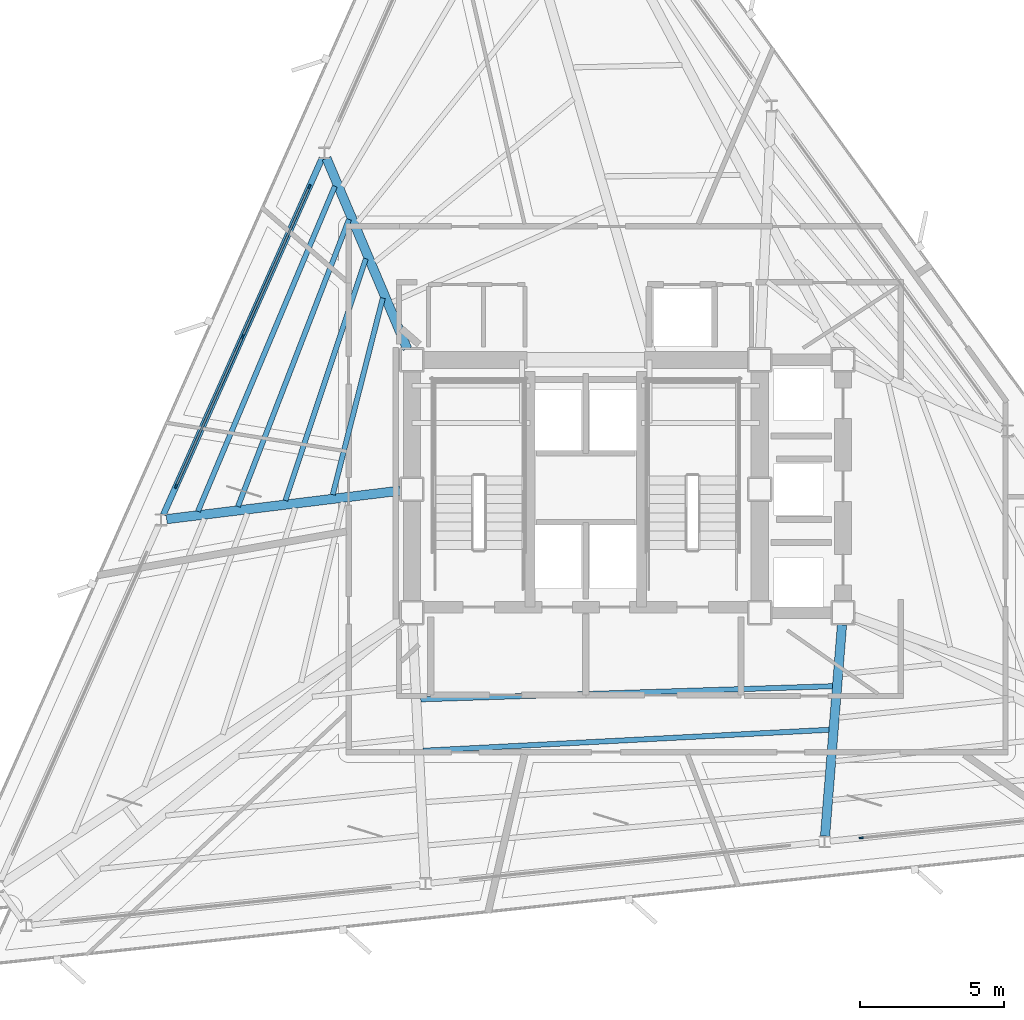
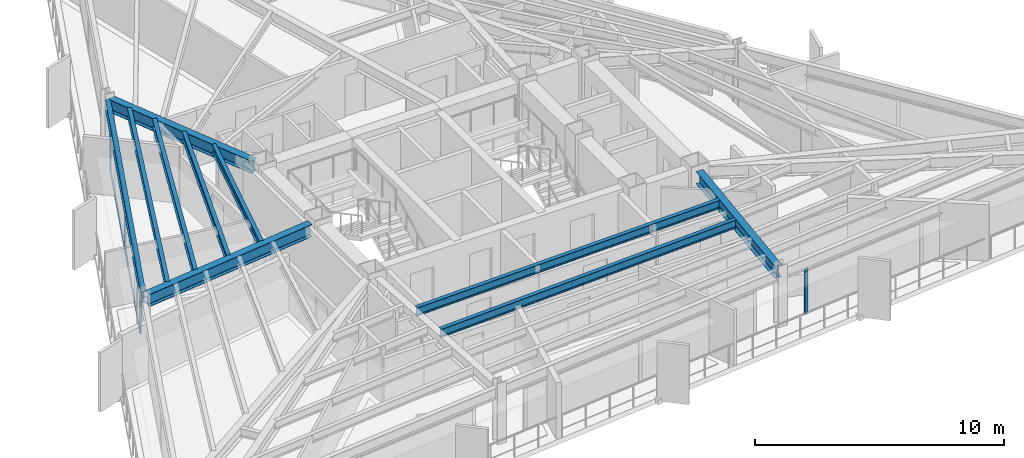
# One storey, part 3 of 12: 10 beams, 8 members, 2 elements without a shape of their own.
"""IFC4 building model written with IfcOpenShell, lengths in metres."""

from ifc_helpers import new_model, si_unit, direction, frame, origin, origin_2d, place, context, subcontext, project, spatial, rectangle, i_section, extrude, material, layer, layer_set, material_profile, profile_set, type_object, element, aggregate, save


model = new_model("IFC4")

# Units and contexts
model_context = context("Model", 3, precision=1e-05, world=origin(), true_north=direction((0.0, 1.0)))
body_context = subcontext(model_context, "Body", "Model", "MODEL_VIEW")
ifc_project = project(units=[si_unit("LENGTHUNIT", "METRE"), si_unit("AREAUNIT", "SQUARE_METRE"), si_unit("VOLUMEUNIT", "CUBIC_METRE"), si_unit("PLANEANGLEUNIT", "RADIAN"), si_unit("MASSUNIT", "GRAM", prefix="KILO")], contexts=[model_context])

# Site, building, storey
site_placement = place(None, origin())
site = spatial("IfcSite", under=ifc_project, at=site_placement, CompositionType="ELEMENT")
building_placement = place(site_placement, origin())
building = spatial("IfcBuilding", under=site, at=building_placement, Name="Rocaltana Carrier Exchange", CompositionType="ELEMENT")
storey_placement = place(building_placement, frame((0.0, 0.0, 116.800048828125)))
storey = spatial("IfcBuildingStorey", under=building, at=storey_placement, Name="L36", CompositionType="ELEMENT", Elevation=116.800048828125)

# Curtain wall, members
ifc_material_1 = material(Name="Aluminium 6063-T6", Category="aluminium")
ifc_layer = layer(ifc_material_1, 0.14990234375)
ifc_layer_set = layer_set([ifc_layer], Name="Aluminium 6063-T6")
curtain_wall_type = type_object("IfcCurtainWallType", Name="Mid-Tower Unitised Curtain Wall CW-03", PredefinedType="NOTDEFINED", material=ifc_layer_set)
curtain_wall_1_placement = place(storey_placement, origin())
curtain_wall_1 = element("IfcCurtainWall", 1, at=curtain_wall_1_placement, inside=storey, type_object=curtain_wall_type, Name="L36 CW-03 Run CW-L36-F2S2", PredefinedType="NOTDEFINED")
ifc_material_2 = material(Name="Aluminium 6063-T6", Category="aluminium")
ifc_material_profile_1 = material_profile(ifc_material_2, rectangle(XDim=0.06005859375, YDim=0.14990234375, at=origin_2d()), Name="AL-60X150")
ifc_profile_set_1 = profile_set([ifc_material_profile_1], Name="Aluminium 6063-T6")
member_type_1 = type_object("IfcMemberType", Name="CW-03 Mullion AL-60X150", PredefinedType="MULLION", material=ifc_profile_set_1)
member_1_placement = place(storey_placement, frame((-9.61865234375, 10.525634765625, 0.0), z_axis=(0.0, 0.0, 1.0), x_axis=(0.913542348315, -0.406743626669, 0.0)))
member_1 = element("IfcMember", 2, at=member_1_placement, type_object=member_type_1, Name="CW-03 mullion 1", PredefinedType="MULLION", context=body_context, shape_type="SweptSolid", body=[
    extrude(rectangle(XDim=0.06005859375, YDim=0.14990234375, at=origin_2d()), origin(), (0.0, 0.0, 1.0), 2.218017578125),
])
member_2_placement = place(storey_placement, frame((-11.9384765625, 5.3154296875, 0.0), z_axis=(0.0, 0.0, 1.0), x_axis=(0.913542348315, -0.406743626669, 0.0)))
member_2 = element("IfcMember", 3, at=member_2_placement, type_object=member_type_1, Name="CW-03 mullion 2", PredefinedType="MULLION", context=body_context, shape_type="SweptSolid", body=[
    extrude(rectangle(XDim=0.06005859375, YDim=0.14990234375, at=origin_2d()), origin(), (0.0, 0.0, 1.0), 2.218017578125),
])
member_3_placement = place(storey_placement, frame((-14.25830078125, 0.105224609375, 0.0), z_axis=(0.0, 0.0, 1.0), x_axis=(0.913542348315, -0.406743626669, 0.0)))
member_3 = element("IfcMember", 4, at=member_3_placement, type_object=member_type_1, Name="CW-03 mullion 3", PredefinedType="MULLION", context=body_context, shape_type="SweptSolid", body=[
    extrude(rectangle(XDim=0.06005859375, YDim=0.14990234375, at=origin_2d()), origin(), (0.0, 0.0, 1.0), 2.218017578125),
])

# Curtain wall, member
curtain_wall_2_placement = place(storey_placement, origin())
curtain_wall_2 = element("IfcCurtainWall", 5, at=curtain_wall_2_placement, inside=storey, type_object=curtain_wall_type, Name="L36 CW-03 Run CW-L36-F3S3", PredefinedType="NOTDEFINED")
member_4_placement = place(storey_placement, frame((9.584228515625, -12.1328125, 0.0), z_axis=(0.0, 0.0, 1.0), x_axis=(-0.104521806959, 0.994522594952, 0.0)))
member_4 = element("IfcMember", 6, at=member_4_placement, type_object=member_type_1, Name="CW-03 mullion 1", PredefinedType="MULLION", context=body_context, shape_type="SweptSolid", body=[
    extrude(rectangle(XDim=0.06005859375, YDim=0.14990234375, at=origin_2d()), origin(), (0.0, 0.0, 1.0), 2.218017578125),
])
aggregate(curtain_wall_2, [member_4])

# Member
ifc_material_3 = material(Name="Aluminium 6063-T6", Category="aluminium")
ifc_material_profile_2 = material_profile(ifc_material_3, rectangle(XDim=0.06005859375, YDim=0.14990234375, at=origin_2d()), Name="AL-60X150")
ifc_profile_set_2 = profile_set([ifc_material_profile_2], Name="Aluminium 6063-T6")
member_type_2 = type_object("IfcMemberType", Name="CW-03 Transom AL-60X150", PredefinedType="USERDEFINED", material=ifc_profile_set_2)
member_5_placement = place(storey_placement, frame((-9.630859375, 10.498291015625, 0.030029296875), z_axis=(-0.406740464784, -0.913543756099, 0.0), x_axis=(0.913543756099, -0.406740464784, 0.0)))
member_5 = element("IfcMember", 7, at=member_5_placement, type_object=member_type_2, Name="CW-03 transom 1.1", ObjectType="TRANSOM", PredefinedType="USERDEFINED", context=body_context, shape_type="SweptSolid", body=[
    extrude(rectangle(XDim=0.06005859375, YDim=0.14990234375, at=origin_2d()), origin(), (0.0, 0.0, 1.0), 5.643310546875),
])

member_6_placement = place(storey_placement, frame((-9.630859375, 10.498291015625, 2.18798828125), z_axis=(-0.406740464784, -0.913543756099, 0.0), x_axis=(0.913543756099, -0.406740464784, 0.0)))
member_6 = element("IfcMember", 8, at=member_6_placement, type_object=member_type_2, Name="CW-03 transom 1.2", ObjectType="TRANSOM", PredefinedType="USERDEFINED", context=body_context, shape_type="SweptSolid", body=[
    extrude(rectangle(XDim=0.06005859375, YDim=0.14990234375, at=origin_2d()), origin(), (0.0, 0.0, 1.0), 5.643310546875),
])

member_7_placement = place(storey_placement, frame((-11.95068359375, 5.287841796875, 0.030029296875), z_axis=(-0.406756540093, -0.91353659866, 0.0), x_axis=(0.91353659866, -0.406756540093, 0.0)))
member_7 = element("IfcMember", 9, at=member_7_placement, type_object=member_type_2, Name="CW-03 transom 2.1", ObjectType="TRANSOM", PredefinedType="USERDEFINED", context=body_context, shape_type="SweptSolid", body=[
    extrude(rectangle(XDim=0.06005859375, YDim=0.14990234375, at=origin_2d()), origin(), (0.0, 0.0, 1.0), 5.643310546875),
])

member_8_placement = place(storey_placement, frame((-11.95068359375, 5.287841796875, 2.18798828125), z_axis=(-0.406756540093, -0.91353659866, 0.0), x_axis=(0.91353659866, -0.406756540093, 0.0)))
member_8 = element("IfcMember", 10, at=member_8_placement, type_object=member_type_2, Name="CW-03 transom 2.2", ObjectType="TRANSOM", PredefinedType="USERDEFINED", context=body_context, shape_type="SweptSolid", body=[
    extrude(rectangle(XDim=0.06005859375, YDim=0.14990234375, at=origin_2d()), origin(), (0.0, 0.0, 1.0), 5.643310546875),
])

aggregate(curtain_wall_1, [member_1, member_2, member_3, member_5, member_6, member_7, member_8])

# Beams
ifc_material_4 = material(Name="Steel S355", Category="steel")
ifc_material_profile_3 = material_profile(ifc_material_4, i_section(OverallWidth=0.179931640625, OverallDepth=0.4130859375, WebThickness=0.009765625, FlangeThickness=0.01611328125, FilletRadius=0.012939453125, at=origin_2d()), Name="W16X50")
ifc_profile_set_3 = profile_set([ifc_material_profile_3], Name="Steel S355")
beam_type_1 = type_object("IfcBeamType", Name="Floor Joist W16X50", PredefinedType="JOIST", material=ifc_profile_set_3)
beam_1_placement = place(storey_placement, frame((-7.06396484375, 6.651123046875, 2.58154296875), z_axis=(-0.246610770256, -0.96911461035, 0.0), x_axis=(0.96911461035, -0.246610770256, 0.0)))
element("IfcBeam", 11, at=beam_1_placement, inside=storey, type_object=beam_type_1, Name="FJ-L36-06-1", PredefinedType="JOIST", context=body_context, shape_type="SweptSolid", body=[
    extrude(i_section(OverallWidth=0.179931640625, OverallDepth=0.4130859375, WebThickness=0.009765625, FlangeThickness=0.01611328125, FilletRadius=0.012939453125, at=origin_2d()), origin(), (0.0, 0.0, 1.0), 7.05859375),
])
beam_2_placement = place(storey_placement, frame((-7.65380859375, 8.021484375, 2.58154296875), z_axis=(-0.315534018632, -0.948914265403, 0.0), x_axis=(0.948914265403, -0.315534018632, 0.0)))
element("IfcBeam", 12, at=beam_2_placement, inside=storey, type_object=beam_type_1, Name="FJ-L36-06-2", PredefinedType="JOIST", context=body_context, shape_type="SweptSolid", body=[
    extrude(i_section(OverallWidth=0.179931640625, OverallDepth=0.4130859375, WebThickness=0.009765625, FlangeThickness=0.01611328125, FilletRadius=0.012939453125, at=origin_2d()), origin(), (0.0, 0.0, 1.0), 8.869384765625),
])
beam_3_placement = place(storey_placement, frame((-8.239990234375, 9.390869140625, 2.58154296875), z_axis=(-0.360736399808, -0.93266781324, 0.0), x_axis=(0.93266781324, -0.360736399808, 0.0)))
element("IfcBeam", 13, at=beam_3_placement, inside=storey, type_object=beam_type_1, Name="FJ-L36-06-3", PredefinedType="JOIST", context=body_context, shape_type="SweptSolid", body=[
    extrude(i_section(OverallWidth=0.179931640625, OverallDepth=0.4130859375, WebThickness=0.009765625, FlangeThickness=0.01611328125, FilletRadius=0.012939453125, at=origin_2d()), origin(), (0.0, 0.0, 1.0), 10.71142578125),
])
beam_4_placement = place(storey_placement, frame((-8.73193359375, 10.543701171875, 2.58154296875), z_axis=(-0.388065001022, -0.92163200627, 0.0), x_axis=(0.92163200627, -0.388065001022, 0.0)))
element("IfcBeam", 14, at=beam_4_placement, inside=storey, type_object=beam_type_1, Name="FJ-L36-06-4", PredefinedType="JOIST", context=body_context, shape_type="SweptSolid", body=[
    extrude(i_section(OverallWidth=0.179931640625, OverallDepth=0.4130859375, WebThickness=0.009765625, FlangeThickness=0.01611328125, FilletRadius=0.012939453125, at=origin_2d()), origin(), (0.0, 0.0, 1.0), 12.27734375),
])
beam_5_placement = place(storey_placement, frame((-5.743408203125, -7.3115234375, 2.58154296875), z_axis=(0.999491466451, 0.031887434705, 0.0), x_axis=(-0.031887434705, 0.999491466451, 0.0)))
element("IfcBeam", 15, at=beam_5_placement, inside=storey, type_object=beam_type_1, Name="FJ-L36-10-1", PredefinedType="JOIST", context=body_context, shape_type="SweptSolid", body=[
    extrude(i_section(OverallWidth=0.179931640625, OverallDepth=0.4130859375, WebThickness=0.009765625, FlangeThickness=0.01611328125, FilletRadius=0.012939453125, at=origin_2d()), origin(), (0.0, 0.0, 1.0), 14.34033203125),
])
beam_6_placement = place(storey_placement, frame((-5.654052734375, -9.099609375, 2.58154296875), z_axis=(0.998672130868, 0.051516745125, 0.0), x_axis=(-0.051516745125, 0.998672130868, 0.0)))
element("IfcBeam", 16, at=beam_6_placement, inside=storey, type_object=beam_type_1, Name="FJ-L36-10-2", PredefinedType="JOIST", context=body_context, shape_type="SweptSolid", body=[
    extrude(i_section(OverallWidth=0.179931640625, OverallDepth=0.4130859375, WebThickness=0.009765625, FlangeThickness=0.01611328125, FilletRadius=0.012939453125, at=origin_2d()), origin(), (0.0, 0.0, 1.0), 14.141357421875),
])
ifc_material_5 = material(Name="Steel S355", Category="steel")
ifc_material_profile_4 = material_profile(ifc_material_5, i_section(OverallWidth=0.323974609375, OverallDepth=0.611083984375, WebThickness=0.0126953125, FlangeThickness=0.01904296875, FilletRadius=0.01611328125, at=origin_2d()), Name="W24X104")
ifc_profile_set_4 = profile_set([ifc_material_profile_4], Name="Steel S355")
beam_type_2 = type_object("IfcBeamType", Name="Radial Girder W24X104", PredefinedType="BEAM", material=ifc_profile_set_4)
beam_7_placement = place(storey_placement, frame((-6.212646484375, 4.884033203125, 2.482421875), z_axis=(-0.390082299066, 0.920779995414, 0.0), x_axis=(-0.920779995414, -0.390082299066, 0.0)))
element("IfcBeam", 17, at=beam_7_placement, inside=storey, type_object=beam_type_2, Name="RG-L36-06", PredefinedType="BEAM", context=body_context, shape_type="SweptSolid", body=[
    extrude(i_section(OverallWidth=0.323974609375, OverallDepth=0.611083984375, WebThickness=0.0126953125, FlangeThickness=0.01904296875, FilletRadius=0.01611328125, at=origin_2d()), origin(), (0.0, 0.0, 1.0), 7.201904296875),
])
beam_8_placement = place(storey_placement, frame((-6.4638671875, -0.050537109375, 2.482421875), z_axis=(-0.992651998354, -0.121004174157, 0.0), x_axis=(0.121004174157, -0.992651998354, 0.0)))
element("IfcBeam", 18, at=beam_8_placement, inside=storey, type_object=beam_type_2, Name="RG-L36-07", PredefinedType="BEAM", context=body_context, shape_type="SweptSolid", body=[
    extrude(i_section(OverallWidth=0.323974609375, OverallDepth=0.611083984375, WebThickness=0.0126953125, FlangeThickness=0.01904296875, FilletRadius=0.01611328125, at=origin_2d()), origin(), (0.0, 0.0, 1.0), 8.181396484375),
])
beam_9_placement = place(storey_placement, frame((8.916748046875, -4.7158203125, 2.482421875), z_axis=(-0.079956907675, -0.996798321084, 0.0), x_axis=(0.996798321084, -0.079956907675, 0.0)))
element("IfcBeam", 19, at=beam_9_placement, inside=storey, type_object=beam_type_2, Name="RG-L36-11", PredefinedType="BEAM", context=body_context, shape_type="SweptSolid", body=[
    extrude(i_section(OverallWidth=0.323974609375, OverallDepth=0.611083984375, WebThickness=0.0126953125, FlangeThickness=0.01904296875, FilletRadius=0.01611328125, at=origin_2d()), origin(), (0.0, 0.0, 1.0), 7.380126953125),
])
ifc_material_6 = material(Name="Steel S355", Category="steel")
ifc_material_profile_5 = material_profile(ifc_material_6, i_section(OverallWidth=0.2119140625, OverallDepth=0.5439453125, WebThickness=0.01318359375, FlangeThickness=0.021240234375, FilletRadius=0.014892578125, at=origin_2d()), Name="W21X83")
ifc_profile_set_5 = profile_set([ifc_material_profile_5], Name="Steel S355")
beam_type_3 = type_object("IfcBeamType", Name="Spandrel Edge Beam W21X83", PredefinedType="SPANDREL", material=ifc_profile_set_5)
beam_10_placement = place(storey_placement, frame((-9.177490234375, 11.516845703125, 2.515869140625), z_axis=(-0.406744031685, -0.913542167986, 0.0), x_axis=(0.913542167986, -0.406744031685, 0.0)))
element("IfcBeam", 20, at=beam_10_placement, inside=storey, type_object=beam_type_3, Name="SP-L36-06", PredefinedType="SPANDREL", context=body_context, shape_type="SweptSolid", body=[
    extrude(i_section(OverallWidth=0.2119140625, OverallDepth=0.5439453125, WebThickness=0.01318359375, FlangeThickness=0.021240234375, FilletRadius=0.014892578125, at=origin_2d()), origin(), (0.0, 0.0, 1.0), 13.57666015625),
])

save(model, "model.ifc")
